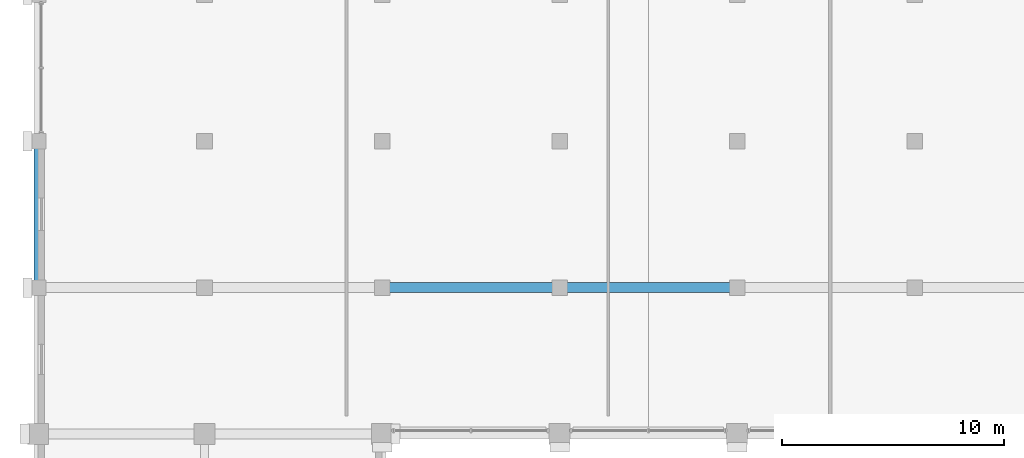
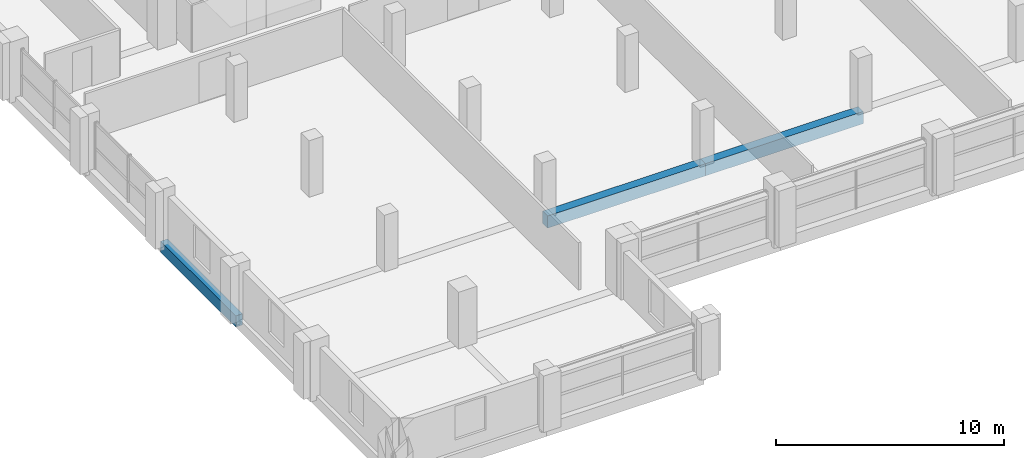
# One storey, part 6 of 25: 3 beams.
"""IFC4 building model written with IfcOpenShell, lengths in metres."""

from ifc_helpers import new_model, si_unit, direction, frame, origin, origin_2d, place, context, subcontext, project, spatial, rectangle, extrude, material, material_profile, profile_set, type_object, element, save


model = new_model("IFC4")

# Units and contexts
model_context = context("Model", 3, precision=1e-05, world=origin(), true_north=direction((0.0, 1.0)))
body_context = subcontext(model_context, "Body", "Model", "MODEL_VIEW")
ifc_project = project(units=[si_unit("LENGTHUNIT", "METRE"), si_unit("AREAUNIT", "SQUARE_METRE"), si_unit("VOLUMEUNIT", "CUBIC_METRE"), si_unit("PLANEANGLEUNIT", "RADIAN"), si_unit("MASSUNIT", "GRAM", prefix="KILO")], contexts=[model_context])

# Site, building, storey
site_placement = place(None, origin())
site = spatial("IfcSite", under=ifc_project, at=site_placement, CompositionType="ELEMENT")
building_placement = place(site_placement, origin())
building = spatial("IfcBuilding", under=site, at=building_placement, Name="Akrevak Sports Hall", CompositionType="ELEMENT")
storey_placement = place(building_placement, frame((0.0, 0.0, 50.300048828125)))
storey = spatial("IfcBuildingStorey", under=building, at=storey_placement, Name="L12", CompositionType="ELEMENT", Elevation=50.300048828125)

# Beams
ifc_material = material(Name="Concrete C40/50", Category="concrete")
ifc_material_profile_1 = material_profile(ifc_material, rectangle(XDim=0.35009765625, YDim=0.60009765625, at=origin_2d()), Name="BM 350x600", Category="concrete")
ifc_profile_set_1 = profile_set([ifc_material_profile_1], Name="Concrete C40/50")
beam_type_1 = type_object("IfcBeamType", Name="STR-BM-RC350x600", PredefinedType="BEAM", material=ifc_profile_set_1)
beam_placement = place(storey_placement, frame((52.5, 35.39990234375, -0.300048828125), z_axis=(0.0, 1.0, 0.0), x_axis=(-1.0, 0.0, 0.0)))
element("IfcBeam", 1, at=beam_placement, inside=storey, type_object=beam_type_1, Name="Girder 8/F-G (L12)", PredefinedType="BEAM", context=body_context, shape_type="SweptSolid", body=[
    extrude(rectangle(XDim=0.35009765625, YDim=0.60009765625, at=origin_2d()), origin(), (0.0, 0.0, 1.0), 6.60009765625),
])
ifc_material_profile_2 = material_profile(ifc_material, rectangle(XDim=0.449951171875, YDim=0.64990234375, at=origin_2d()), Name="BM 450x650", Category="concrete")
ifc_profile_set_2 = profile_set([ifc_material_profile_2], Name="Concrete C40/50")
beam_type_2 = type_object("IfcBeamType", Name="STR-BM-RC450x650", PredefinedType="BEAM", material=ifc_profile_set_2)
for number, where, z_axis, x_axis, name in (
    (2, (68.0, 35.39990234375, -0.324951171875), (1.0, 0.0, 0.0), (0.0, 1.0, 0.0), "Girder F/10-11 (L12)"),
    (3, (76.0, 35.39990234375, -0.324951171875), (1.0, 0.0, 0.0), (0.0, 1.0, 0.0), "Girder F/11-12 (L12)"),
):
    element("IfcBeam", number, at=place(storey_placement, frame(where, z_axis=z_axis, x_axis=x_axis)), inside=storey, type_object=beam_type_2, Name=name, PredefinedType="BEAM", context=body_context, shape_type="SweptSolid", body=[
        extrude(rectangle(XDim=0.449951171875, YDim=0.64990234375, at=origin_2d()), origin(), (0.0, 0.0, 1.0), 8.0),
    ])

save(model, "model.ifc")
